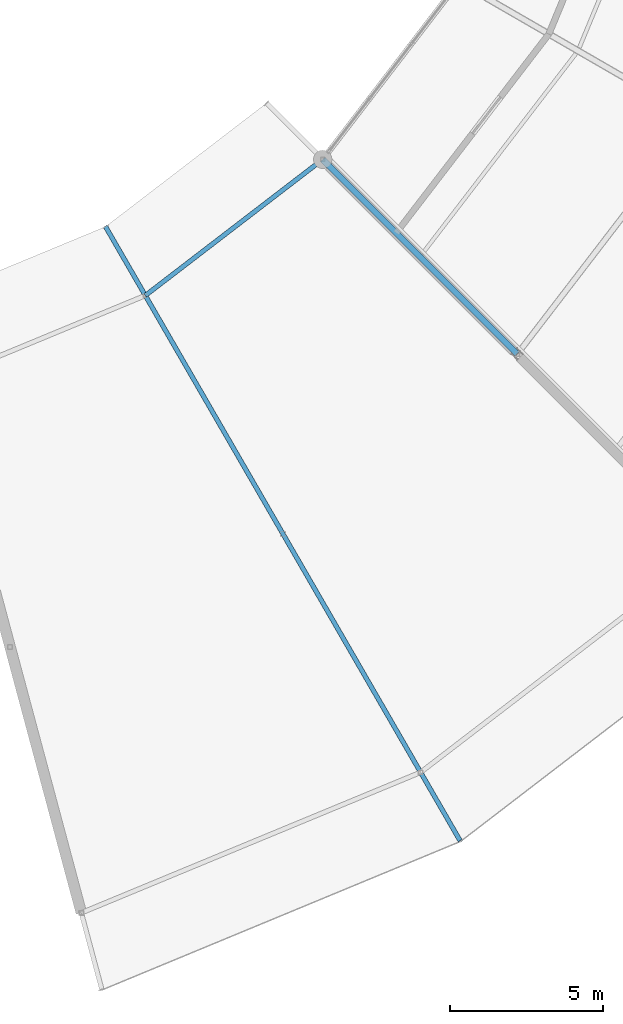
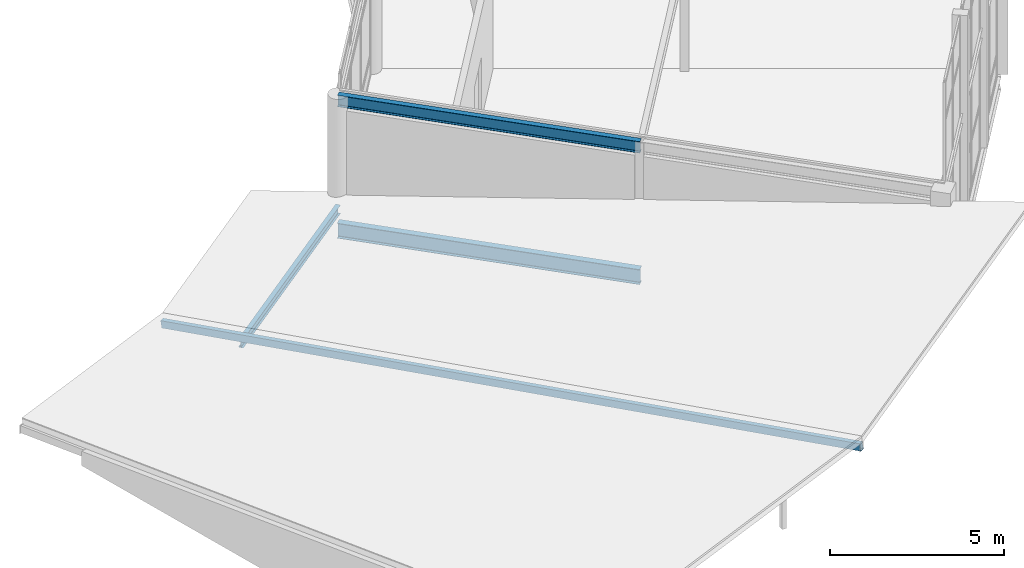
# One storey, part 56 of 185: 3 beams, 1 member.
"""IFC4 building model written with IfcOpenShell, lengths in metres."""

from ifc_helpers import new_model, si_unit, direction, frame, origin, origin_2d, place, context, subcontext, project, spatial, hollow_rectangle, i_section, extrude, material, material_profile, profile_set, type_object, element, save


model = new_model("IFC4")

# Units and contexts
model_context = context("Model", 3, precision=1e-05, world=origin(), true_north=direction((0.0, 1.0)))
body_context = subcontext(model_context, "Body", "Model", "MODEL_VIEW")
ifc_project = project(units=[si_unit("LENGTHUNIT", "METRE"), si_unit("AREAUNIT", "SQUARE_METRE"), si_unit("VOLUMEUNIT", "CUBIC_METRE"), si_unit("PLANEANGLEUNIT", "RADIAN"), si_unit("MASSUNIT", "GRAM", prefix="KILO")], contexts=[model_context])

# Site, building, storey
site_placement = place(None, origin())
site = spatial("IfcSite", under=ifc_project, at=site_placement, CompositionType="ELEMENT")
building_placement = place(site_placement, origin())
building = spatial("IfcBuilding", under=site, at=building_placement, Name="Vondelvale Polytechnic", CompositionType="ELEMENT")
storey_placement = place(building_placement, frame((0.0, 0.0, 9.60009765625)))
storey = spatial("IfcBuildingStorey", under=building, at=storey_placement, Name="L02", CompositionType="ELEMENT", Elevation=9.60009765625)

# Beams
ifc_material_1 = material(Name="Steel 300PLUS (fy = 300 MPa)", Category="steel")
ifc_material_profile_1 = material_profile(ifc_material_1, i_section(OverallWidth=0.14892578125, OverallDepth=0.298095703125, WebThickness=0.005615234375, FlangeThickness=0.008056640625, FilletRadius=0.011474609375, at=origin_2d()), Name="310UB32.0")
ifc_profile_set_1 = profile_set([ifc_material_profile_1], Name="Steel 300PLUS (fy = 300 MPa)")
beam_type_1 = type_object("IfcBeamType", Name="BM-UB310L", PredefinedType="BEAM", material=ifc_profile_set_1)
beam_1_placement = place(storey_placement, frame((116.0, 47.751220703125, 0.16259765625), z_axis=(0.793358469083, 0.608754744979, 0.0), x_axis=(-0.608754744979, 0.793358469083, 0.0)))
element("IfcBeam", 1, at=beam_1_placement, inside=storey, type_object=beam_type_1, Name="L02 RE B-25", PredefinedType="BEAM", context=body_context, shape_type="SweptSolid", body=[
    extrude(i_section(OverallWidth=0.14892578125, OverallDepth=0.298095703125, WebThickness=0.005615234375, FlangeThickness=0.008056640625, FilletRadius=0.011474609375, at=origin_2d()), origin(), (0.0, 0.0, 1.0), 7.3095703125),
])
ifc_material_profile_2 = material_profile(ifc_material_1, i_section(OverallWidth=0.177978515625, OverallDepth=0.403076171875, WebThickness=0.007568359375, FlangeThickness=0.010986328125, FilletRadius=0.011474609375, at=origin_2d()), Name="410UB53.7")
ifc_profile_set_2 = profile_set([ifc_material_profile_2], Name="Steel 300PLUS (fy = 300 MPa)")
beam_type_2 = type_object("IfcBeamType", Name="BM-UB410L", PredefinedType="BEAM", material=ifc_profile_set_2)
beam_2_placement = place(storey_placement, frame((121.799072265625, 52.200927734375, 3.998291015625), z_axis=(0.707106781187, -0.707106781187, 0.0), x_axis=(0.707106781187, 0.707106781187, 0.0)))
element("IfcBeam", 2, at=beam_2_placement, inside=storey, type_object=beam_type_2, Name="L02 REG B-23", PredefinedType="BEAM", context=body_context, shape_type="SweptSolid", body=[
    extrude(i_section(OverallWidth=0.177978515625, OverallDepth=0.403076171875, WebThickness=0.007568359375, FlangeThickness=0.010986328125, FilletRadius=0.011474609375, at=origin_2d()), origin(), (0.0, 0.0, 1.0), 9.0),
])
ifc_material_profile_3 = material_profile(ifc_material_1, i_section(OverallWidth=0.208984375, OverallDepth=0.528076171875, WebThickness=0.009521484375, FlangeThickness=0.01318359375, FilletRadius=0.013916015625, at=origin_2d()), Name="530UB82.0")
ifc_profile_set_3 = profile_set([ifc_material_profile_3], Name="Steel 300PLUS (fy = 300 MPa)")
beam_type_3 = type_object("IfcBeamType", Name="BM-UB530L", PredefinedType="BEAM", material=ifc_profile_set_3)
beam_3_placement = place(storey_placement, frame((121.799072265625, 52.200927734375, -0.544189453125), z_axis=(0.707106781187, -0.707106781187, 0.0), x_axis=(0.707106781187, 0.707106781187, 0.0)))
element("IfcBeam", 3, at=beam_3_placement, inside=storey, type_object=beam_type_3, Name="L02 RG B-21", PredefinedType="BEAM", context=body_context, shape_type="SweptSolid", body=[
    extrude(i_section(OverallWidth=0.208984375, OverallDepth=0.528076171875, WebThickness=0.009521484375, FlangeThickness=0.01318359375, FilletRadius=0.013916015625, at=origin_2d()), origin(), (0.0, 0.0, 1.0), 9.0),
])

# Member
ifc_material_2 = material(Name="Steel C350L0 (fy = 350 MPa)", Category="steel")
ifc_material_profile_4 = material_profile(ifc_material_2, hollow_rectangle(XDim=0.14990234375, YDim=0.25, WallThickness=0.006103515625, at=origin_2d()), Name="250x150x6.0RHS")
ifc_profile_set_4 = profile_set([ifc_material_profile_4], Name="Steel C350L0 (fy = 350 MPa)")
member_type = type_object("IfcMemberType", Name="RAFTER RHS250", PredefinedType="RAFTER", material=ifc_profile_set_4)
member_placement = place(storey_placement, frame((126.300048828125, 29.9111328125, 3.765625), z_axis=(-0.493427802493, 0.85463514825, -0.161640858395), x_axis=(-0.86602366199, -0.500003016864, 0.0)))
element("IfcMember", 4, at=member_placement, inside=storey, type_object=member_type, Name="Ring inward-sloping rafter 20", PredefinedType="RAFTER", context=body_context, shape_type="SweptSolid", body=[
    extrude(hollow_rectangle(XDim=0.14990234375, YDim=0.25, WallThickness=0.006103515625, at=origin_2d()), origin(), (0.0, 0.0, 1.0), 23.50927734375),
])

save(model, "model.ifc")
